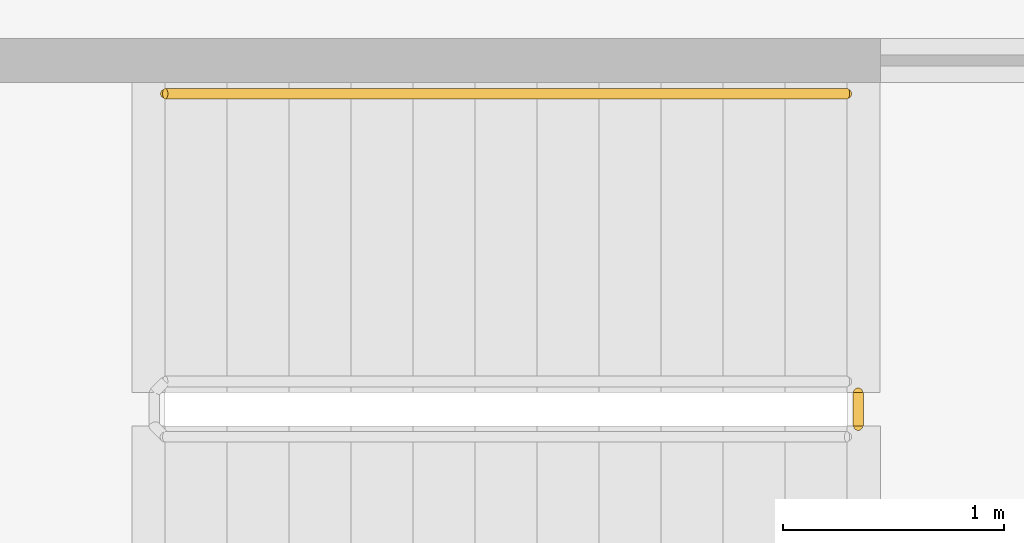
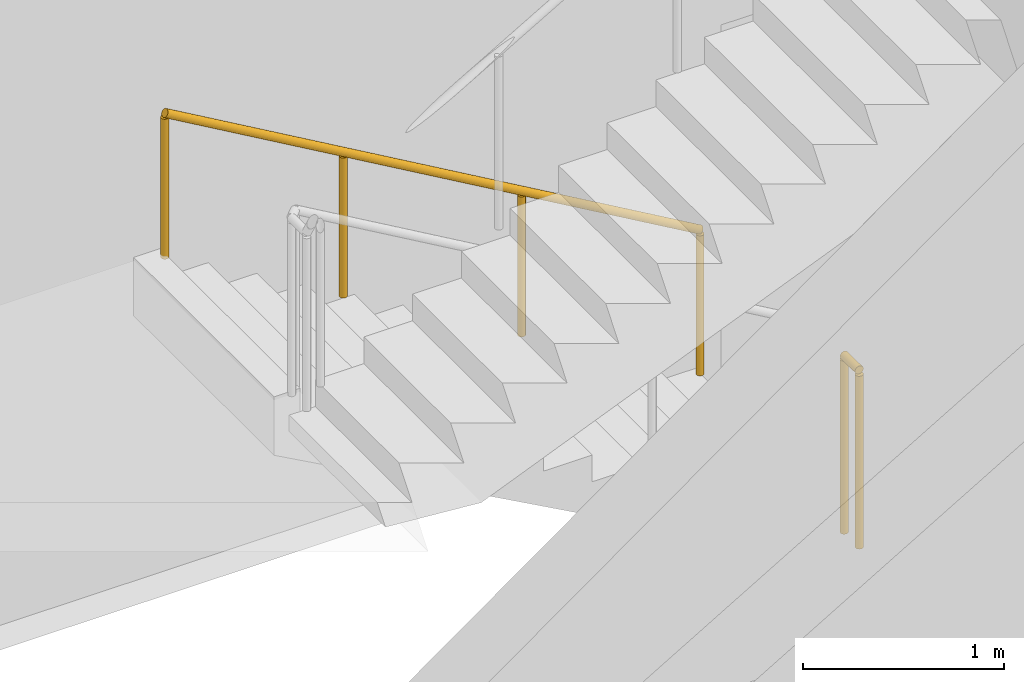
# One storey, part 18 of 22: 2 railings.
"""IFC4 building model written with IfcOpenShell, lengths in metres."""

from ifc_helpers import new_model, si_unit, direction, frame, origin, origin_2d, place, context, subcontext, project, spatial, circle, extrude, material, type_object, element, save


model = new_model("IFC4")

# Units and contexts
model_context = context("Model", 3, precision=1e-05, world=origin(), true_north=direction((0.0, 1.0)))
body_context = subcontext(model_context, "Body", "Model", "MODEL_VIEW")
ifc_project = project(units=[si_unit("LENGTHUNIT", "METRE"), si_unit("AREAUNIT", "SQUARE_METRE"), si_unit("VOLUMEUNIT", "CUBIC_METRE"), si_unit("PLANEANGLEUNIT", "RADIAN"), si_unit("MASSUNIT", "GRAM", prefix="KILO")], contexts=[model_context])

# Site, building, storey
site_placement = place(None, origin())
site = spatial("IfcSite", under=ifc_project, at=site_placement, CompositionType="ELEMENT")
building_placement = place(site_placement, origin())
building = spatial("IfcBuilding", under=site, at=building_placement, Name="Kheshtan School and Residences Tower", CompositionType="ELEMENT")
storey_placement = place(building_placement, frame((0.0, 0.0, 216.199951171875)))
storey = spatial("IfcBuildingStorey", under=building, at=storey_placement, Name="L50", CompositionType="ELEMENT", Elevation=216.199951171875)

# Railings
ifc_material_1 = material(Name="Stainless steel balustrade", Category="steel")
railing_type_1 = type_object("IfcRailingType", Name="Stair guard 1100", PredefinedType="GUARDRAIL", material=ifc_material_1)
railing_1_placement = place(storey_placement, frame((78.4599609375, 24.39990234375, 0.0)))
element("IfcRailing", 1, at=railing_1_placement, inside=storey, type_object=railing_type_1, Name="L50 ST5 stair guard 2", PredefinedType="GUARDRAIL", context=body_context, shape_type="SweptSolid", body=[
    extrude(circle(Radius=0.02392578125, at=origin_2d()), frame((0.0, 0.0, 1.076171875), z_axis=(0.0, -1.0, 0.0), x_axis=(1.0, 0.0, 0.0)), (0.0, 0.0, 1.0), 0.14990234375),
    extrude(circle(Radius=0.02099609375, at=origin_2d()), origin(), (0.0, 0.0, 1.0), 1.052001953125),
    extrude(circle(Radius=0.02099609375, at=origin_2d()), frame((0.0, -0.14990234375, 0.0)), (0.0, 0.0, 1.0), 1.052001953125),
])
ifc_material_2 = material(Name="Stainless steel handrail", Category="steel")
railing_type_2 = type_object("IfcRailingType", Name="Stair handrail 900", PredefinedType="HANDRAIL", material=ifc_material_2)
railing_2_placement = place(storey_placement, frame((78.409912109375, 25.75, 0.16259765625)))
element("IfcRailing", 2, at=railing_2_placement, inside=storey, type_object=railing_type_2, Name="L50 ST5 stair handrail 1", PredefinedType="HANDRAIL", context=body_context, shape_type="SweptSolid", body=[
    extrude(circle(Radius=0.02392578125, at=origin_2d()), frame((0.0, 0.0, 0.8759765625), z_axis=(-0.864903211148, 0.0, 0.501938676878), x_axis=(0.0, -1.0, 0.0)), (0.0, 0.0, 1.0), 3.560791015625),
    extrude(circle(Radius=0.02099609375, at=origin_2d()), origin(), (0.0, 0.0, 1.0), 0.851806640625),
    extrude(circle(Radius=0.02099609375, at=origin_2d()), frame((-1.026611328125, 0.0, 0.595703125)), (0.0, 0.0, 1.0), 0.851806640625),
    extrude(circle(Radius=0.02099609375, at=origin_2d()), frame((-2.05322265625, 0.0, 1.191650390625)), (0.0, 0.0, 1.0), 0.851806640625),
    extrude(circle(Radius=0.02099609375, at=origin_2d()), frame((-3.079833984375, 0.0, 1.787353515625)), (0.0, 0.0, 1.0), 0.851806640625),
])

save(model, "model.ifc")
